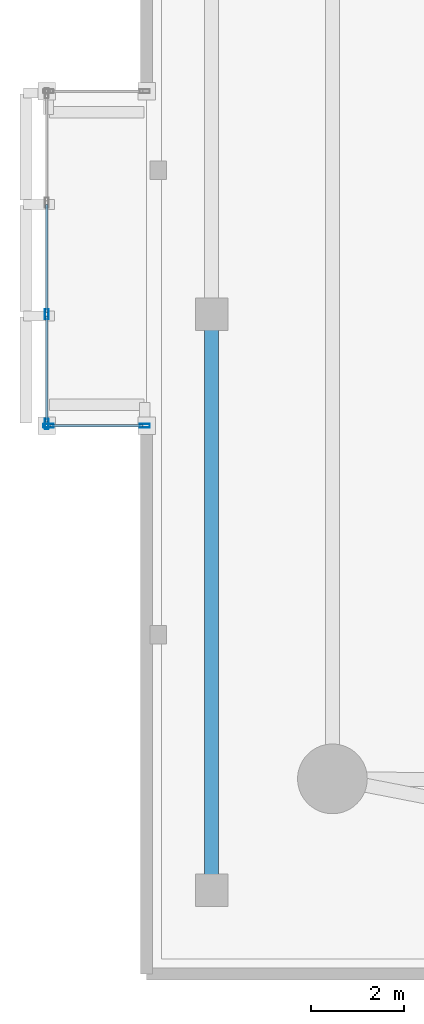
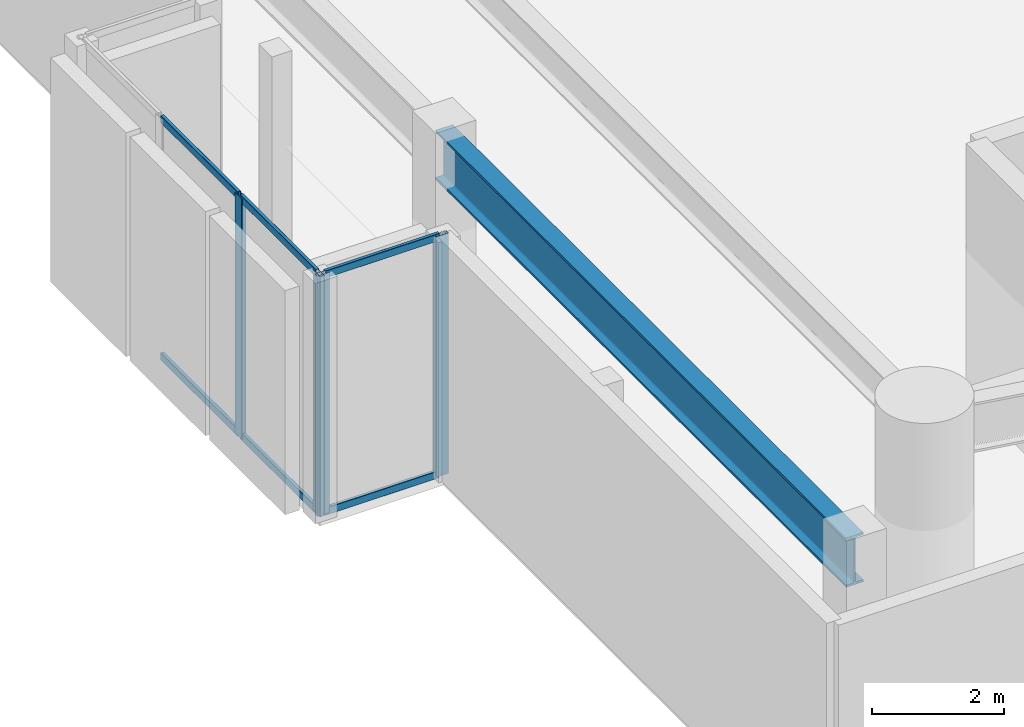
# One storey, part 2 of 16: 10 members, 1 beam, 2 elements without a shape of their own.
"""IFC4 building model written with IfcOpenShell, lengths in metres."""

from ifc_helpers import new_model, si_unit, direction, frame, origin, origin_2d, place, context, subcontext, project, spatial, hollow_rectangle, i_section, extrude, material, layer, layer_set, material_profile, profile_set, type_object, element, aggregate, save


model = new_model("IFC4")

# Units and contexts
model_context = context("Model", 3, precision=1e-05, world=origin(), true_north=direction((0.0, 1.0)))
body_context = subcontext(model_context, "Body", "Model", "MODEL_VIEW")
ifc_project = project(units=[si_unit("LENGTHUNIT", "METRE"), si_unit("AREAUNIT", "SQUARE_METRE"), si_unit("VOLUMEUNIT", "CUBIC_METRE"), si_unit("PLANEANGLEUNIT", "RADIAN"), si_unit("MASSUNIT", "GRAM", prefix="KILO")], contexts=[model_context])

# Site, building, storey
site_placement = place(None, origin())
site = spatial("IfcSite", under=ifc_project, at=site_placement, CompositionType="ELEMENT")
building_placement = place(site_placement, origin())
building = spatial("IfcBuilding", under=site, at=building_placement, Name="An Khanh Terracotta Commons", CompositionType="ELEMENT")
storey_placement = place(building_placement, frame((0.0, 0.0, 5.39990234375)))
storey = spatial("IfcBuildingStorey", under=building, at=storey_placement, Name="L02", CompositionType="ELEMENT", Elevation=5.39990234375)

# Beam
ifc_material_1 = material(Name="Steel S460ML", Category="steel")
ifc_material_profile_1 = material_profile(ifc_material_1, i_section(OverallWidth=0.302001953125, OverallDepth=0.909912109375, WebThickness=0.02099609375, FlangeThickness=0.0400390625, FilletRadius=0.030029296875, at=origin_2d()), Name="HEM900")
ifc_profile_set_1 = profile_set([ifc_material_profile_1], Name="Steel S460ML")
beam_type = type_object("IfcBeamType", Name="BM-HEM900", PredefinedType="BEAM", material=ifc_profile_set_1)
beam_placement = place(storey_placement, frame((3.0, 2.0, 3.97509765625), z_axis=(0.0, 1.0, 0.0), x_axis=(-1.0, 0.0, 0.0)))
element("IfcBeam", 1, at=beam_placement, inside=storey, type_object=beam_type, Name="L02 Primary Podium Girder 1", PredefinedType="BEAM", context=body_context, shape_type="SweptSolid", body=[
    extrude(i_section(OverallWidth=0.302001953125, OverallDepth=0.909912109375, WebThickness=0.02099609375, FlangeThickness=0.0400390625, FilletRadius=0.030029296875, at=origin_2d()), origin(), (0.0, 0.0, 1.0), 12.39990234375),
])

# Curtain wall, members
ifc_material_2 = material(Name="Anodised Aluminium 6063-T6", Category="aluminium")
ifc_layer = layer(ifc_material_2, 0.239990234375, Name="Anodised Aluminium 6063-T6")
ifc_layer_set = layer_set([ifc_layer], Name="Anodised Aluminium 6063-T6")
curtain_wall_type = type_object("IfcCurtainWallType", Name="CW-SYS-04", PredefinedType="USERDEFINED", material=ifc_layer_set)
curtain_wall_1_placement = place(storey_placement, origin())
curtain_wall_1 = element("IfcCurtainWall", 2, at=curtain_wall_1_placement, inside=storey, type_object=curtain_wall_type, Name="L02 CW-04 Unitised Curtain Wall CW-L02-WBOX-1", ObjectType="UNITISED CURTAIN WALL", PredefinedType="USERDEFINED")
ifc_material_profile_2 = material_profile(ifc_material_2, hollow_rectangle(XDim=0.080078125, YDim=0.219970703125, WallThickness=0.0048828125, InnerFilletRadius=0.0048828125, OuterFilletRadius=0.010009765625, at=origin_2d()), Name="RHS220x80x5")
ifc_profile_set_2 = profile_set([ifc_material_profile_2], Name="Anodised Aluminium 6063-T6")
member_type_1 = type_object("IfcMemberType", Name="CWM-RHS220x80x5", PredefinedType="MULLION", material=ifc_profile_set_2)
member_1_placement = place(storey_placement, frame((-0.550048828125, 14.39990234375, 0.0), z_axis=(0.0, 0.0, 1.0), x_axis=(1.0, 0.0, 0.0)))
member_1 = element("IfcMember", 3, at=member_1_placement, type_object=member_type_1, Name="CW-04 mullion 3", PredefinedType="MULLION", context=body_context, shape_type="SweptSolid", body=[
    extrude(hollow_rectangle(XDim=0.080078125, YDim=0.219970703125, WallThickness=0.0048828125, InnerFilletRadius=0.0048828125, OuterFilletRadius=0.010009765625, at=origin_2d()), origin(), (0.0, 0.0, 1.0), 4.43017578125),
])
member_2_placement = place(storey_placement, frame((-0.550048828125, 12.0400390625, 0.0), z_axis=(0.0, 0.0, 1.0), x_axis=(1.0, 0.0, 0.0)))
member_2 = element("IfcMember", 4, at=member_2_placement, type_object=member_type_1, Name="CW-04 mullion 4", PredefinedType="MULLION", context=body_context, shape_type="SweptSolid", body=[
    extrude(hollow_rectangle(XDim=0.080078125, YDim=0.219970703125, WallThickness=0.0048828125, InnerFilletRadius=0.0048828125, OuterFilletRadius=0.010009765625, at=origin_2d()), origin(), (0.0, 0.0, 1.0), 4.43017578125),
])

curtain_wall_2_placement = place(storey_placement, origin())
curtain_wall_2 = element("IfcCurtainWall", 5, at=curtain_wall_2_placement, inside=storey, type_object=curtain_wall_type, Name="L02 CW-04 Unitised Curtain Wall CW-L02-WBOX-2", ObjectType="UNITISED CURTAIN WALL", PredefinedType="USERDEFINED")
member_3_placement = place(storey_placement, frame((1.56005859375, 12.0, 0.0), z_axis=(0.0, 0.0, 1.0), x_axis=(0.0, -1.0, 0.0)))
member_3 = element("IfcMember", 6, at=member_3_placement, type_object=member_type_1, Name="CW-04 mullion 1", PredefinedType="MULLION", context=body_context, shape_type="SweptSolid", body=[
    extrude(hollow_rectangle(XDim=0.080078125, YDim=0.219970703125, WallThickness=0.0048828125, InnerFilletRadius=0.0048828125, OuterFilletRadius=0.010009765625, at=origin_2d()), origin(), (0.0, 0.0, 1.0), 4.43017578125),
])
member_4_placement = place(storey_placement, frame((-0.510009765625, 12.0, 0.0), z_axis=(0.0, 0.0, 1.0), x_axis=(0.0, -1.0, 0.0)))
member_4 = element("IfcMember", 7, at=member_4_placement, type_object=member_type_1, Name="CW-04 mullion 2", PredefinedType="MULLION", context=body_context, shape_type="SweptSolid", body=[
    extrude(hollow_rectangle(XDim=0.080078125, YDim=0.219970703125, WallThickness=0.0048828125, InnerFilletRadius=0.0048828125, OuterFilletRadius=0.010009765625, at=origin_2d()), origin(), (0.0, 0.0, 1.0), 4.43017578125),
])

# Member
ifc_material_profile_3 = material_profile(ifc_material_2, hollow_rectangle(XDim=0.06005859375, YDim=0.135009765625, WallThickness=0.003662109375, InnerFilletRadius=0.003662109375, OuterFilletRadius=0.007080078125, at=origin_2d()), Name="RHS135x60x3.6")
ifc_profile_set_3 = profile_set([ifc_material_profile_3], Name="Anodised Aluminium 6063-T6")
member_type_2 = type_object("IfcMemberType", Name="CWT-RHS135x60x3.6", PredefinedType="USERDEFINED", material=ifc_profile_set_3)
member_5_placement = place(storey_placement, frame((-0.550048828125, 16.760009765625, 0.030029296875), z_axis=(0.0, -1.0, 0.0), x_axis=(1.0, 0.0, 0.0)))
member_5 = element("IfcMember", 8, at=member_5_placement, type_object=member_type_2, Name="CW-04 transom 2.1", ObjectType="TRANSOM", PredefinedType="USERDEFINED", context=body_context, shape_type="SweptSolid", body=[
    extrude(hollow_rectangle(XDim=0.06005859375, YDim=0.135009765625, WallThickness=0.003662109375, InnerFilletRadius=0.003662109375, OuterFilletRadius=0.007080078125, at=origin_2d()), origin(), (0.0, 0.0, 1.0), 2.320068359375),
])

member_6_placement = place(storey_placement, frame((-0.550048828125, 16.760009765625, 4.400146484375), z_axis=(0.0, -1.0, 0.0), x_axis=(1.0, 0.0, 0.0)))
member_6 = element("IfcMember", 9, at=member_6_placement, type_object=member_type_2, Name="CW-04 transom 2.2", ObjectType="TRANSOM", PredefinedType="USERDEFINED", context=body_context, shape_type="SweptSolid", body=[
    extrude(hollow_rectangle(XDim=0.06005859375, YDim=0.135009765625, WallThickness=0.003662109375, InnerFilletRadius=0.003662109375, OuterFilletRadius=0.007080078125, at=origin_2d()), origin(), (0.0, 0.0, 1.0), 2.320068359375),
])

member_7_placement = place(storey_placement, frame((-0.550048828125, 14.360107421875, 0.030029296875), z_axis=(0.0, -1.0, 0.0), x_axis=(1.0, 0.0, 0.0)))
member_7 = element("IfcMember", 10, at=member_7_placement, type_object=member_type_2, Name="CW-04 transom 3.1", ObjectType="TRANSOM", PredefinedType="USERDEFINED", context=body_context, shape_type="SweptSolid", body=[
    extrude(hollow_rectangle(XDim=0.06005859375, YDim=0.135009765625, WallThickness=0.003662109375, InnerFilletRadius=0.003662109375, OuterFilletRadius=0.007080078125, at=origin_2d()), origin(), (0.0, 0.0, 1.0), 2.280029296875),
])

member_8_placement = place(storey_placement, frame((-0.550048828125, 14.360107421875, 4.400146484375), z_axis=(0.0, -1.0, 0.0), x_axis=(1.0, 0.0, 0.0)))
member_8 = element("IfcMember", 11, at=member_8_placement, type_object=member_type_2, Name="CW-04 transom 3.2", ObjectType="TRANSOM", PredefinedType="USERDEFINED", context=body_context, shape_type="SweptSolid", body=[
    extrude(hollow_rectangle(XDim=0.06005859375, YDim=0.135009765625, WallThickness=0.003662109375, InnerFilletRadius=0.003662109375, OuterFilletRadius=0.007080078125, at=origin_2d()), origin(), (0.0, 0.0, 1.0), 2.280029296875),
])

aggregate(curtain_wall_1, [member_1, member_2, member_5, member_6, member_7, member_8])

member_9_placement = place(storey_placement, frame((1.52001953125, 12.0, 0.030029296875), z_axis=(-1.0, 0.0, 0.0), x_axis=(0.0, -1.0, 0.0)))
member_9 = element("IfcMember", 12, at=member_9_placement, type_object=member_type_2, Name="CW-04 transom 1.1", ObjectType="TRANSOM", PredefinedType="USERDEFINED", context=body_context, shape_type="SweptSolid", body=[
    extrude(hollow_rectangle(XDim=0.06005859375, YDim=0.135009765625, WallThickness=0.003662109375, InnerFilletRadius=0.003662109375, OuterFilletRadius=0.007080078125, at=origin_2d()), origin(), (0.0, 0.0, 1.0), 1.989990234375),
])

member_10_placement = place(storey_placement, frame((1.52001953125, 12.0, 4.400146484375), z_axis=(-1.0, 0.0, 0.0), x_axis=(0.0, -1.0, 0.0)))
member_10 = element("IfcMember", 13, at=member_10_placement, type_object=member_type_2, Name="CW-04 transom 1.2", ObjectType="TRANSOM", PredefinedType="USERDEFINED", context=body_context, shape_type="SweptSolid", body=[
    extrude(hollow_rectangle(XDim=0.06005859375, YDim=0.135009765625, WallThickness=0.003662109375, InnerFilletRadius=0.003662109375, OuterFilletRadius=0.007080078125, at=origin_2d()), origin(), (0.0, 0.0, 1.0), 1.989990234375),
])

aggregate(curtain_wall_2, [member_3, member_4, member_9, member_10])

save(model, "model.ifc")
